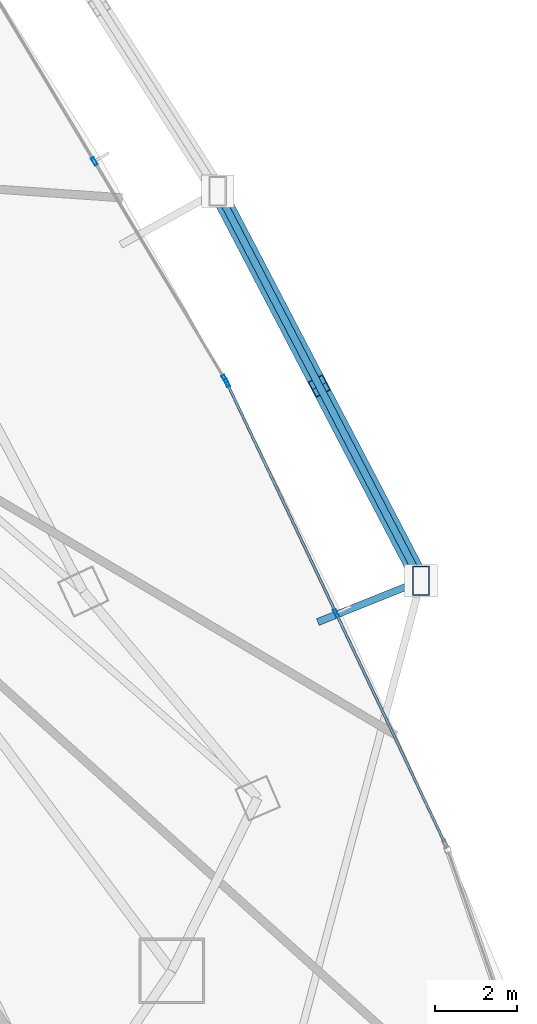
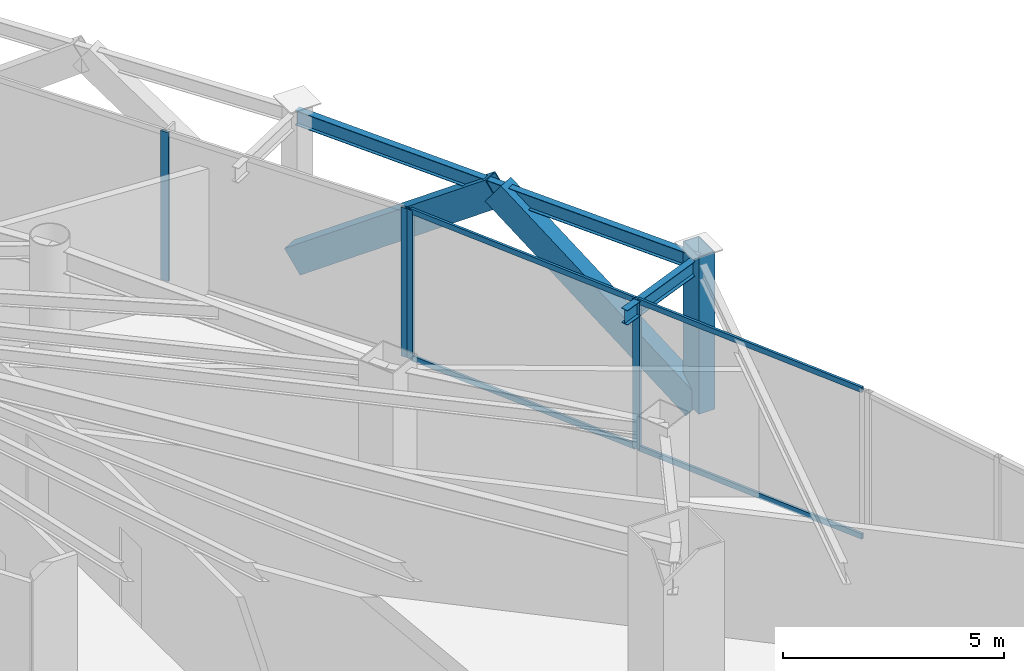
# One storey, part 18 of 33: 11 members, 2 beams, 2 elements without a shape of their own.
"""IFC4 building model written with IfcOpenShell, lengths in metres."""

from ifc_helpers import new_model, si_unit, direction, frame, origin, origin_2d, place, context, subcontext, project, spatial, hollow_rectangle, i_section, extrude, material, layer, layer_set, material_profile, profile_set, type_object, element, aggregate, save


model = new_model("IFC4")

# Units and contexts
model_context = context("Model", 3, precision=1e-05, world=origin(), true_north=direction((0.0, 1.0)))
body_context = subcontext(model_context, "Body", "Model", "MODEL_VIEW")
ifc_project = project(units=[si_unit("LENGTHUNIT", "METRE"), si_unit("AREAUNIT", "SQUARE_METRE"), si_unit("VOLUMEUNIT", "CUBIC_METRE"), si_unit("PLANEANGLEUNIT", "RADIAN"), si_unit("MASSUNIT", "GRAM", prefix="KILO")], contexts=[model_context])

# Site, building, storey
site_placement = place(None, origin())
site = spatial("IfcSite", under=ifc_project, at=site_placement, CompositionType="ELEMENT")
building_placement = place(site_placement, origin())
building = spatial("IfcBuilding", under=site, at=building_placement, Name="Orvanel Arch Residences", CompositionType="ELEMENT")
storey_placement = place(building_placement, frame((0.0, 0.0, 59.89990234375)))
storey = spatial("IfcBuildingStorey", under=building, at=storey_placement, Name="L16", CompositionType="ELEMENT", Elevation=59.89990234375)

# Members
ifc_material_1 = material(Name="Structural steel AS/NZS 3678 Grade 350", Category="steel")
ifc_material_profile_1 = material_profile(ifc_material_1, hollow_rectangle(XDim=0.419921875, YDim=0.719970703125, WallThickness=0.02490234375, at=origin_2d()), Name="RHS720x420x25")
ifc_profile_set_1 = profile_set([ifc_material_profile_1], Name="Structural steel AS/NZS 3678 Grade 350")
member_type_1 = type_object("IfcMemberType", Name="BR-720RHS-EXT", PredefinedType="BRACE", material=ifc_profile_set_1)
for number, where, z_axis, x_axis, name in (
    (1, (57.904052734375, 19.903076171875, 0.0), (-0.374328880999, 0.717374956054, 0.587580684908), (-0.88656138152, -0.462610977817, 0.0), "L16 Exterior Sky-Garden V-Frame Chevron F3B1.1"),
    (2, (52.926025390625, 29.443115234375, 0.0), (0.374328880999, -0.717374956054, 0.587580684908), (0.88656138152, 0.462610977817, 0.0), "L16 Exterior Sky-Garden V-Frame Chevron F3B1.2"),
):
    element("IfcMember", number, at=place(storey_placement, frame(where, z_axis=z_axis, x_axis=x_axis)), inside=storey, type_object=member_type_1, Name=name, PredefinedType="BRACE", context=body_context, shape_type="SweptSolid", body=[
        extrude(hollow_rectangle(XDim=0.419921875, YDim=0.719970703125, WallThickness=0.02490234375, at=origin_2d()), origin(), (0.0, 0.0, 1.0), 6.649169921875),
    ])
ifc_material_profile_2 = material_profile(ifc_material_1, hollow_rectangle(XDim=0.419921875, YDim=0.719970703125, WallThickness=0.02490234375, at=origin_2d()), Name="RHS720x420x25")
ifc_profile_set_2 = profile_set([ifc_material_profile_2], Name="Structural steel AS/NZS 3678 Grade 350")
member_type_2 = type_object("IfcMemberType", Name="CH-720RHS-EXT", PredefinedType="CHORD", material=ifc_profile_set_2)
member_1_placement = place(storey_placement, frame((57.904052734375, 19.903076171875, 0.0), z_axis=(0.0, 0.0, 1.0), x_axis=(1.0, 0.0, 0.0)))
element("IfcMember", 3, at=member_1_placement, inside=storey, type_object=member_type_2, Name="L16 Outer Perimeter Frame Post 09", PredefinedType="CHORD", context=body_context, shape_type="SweptSolid", body=[
    extrude(hollow_rectangle(XDim=0.419921875, YDim=0.719970703125, WallThickness=0.02490234375, at=origin_2d()), origin(), (0.0, 0.0, 1.0), 4.35009765625),
])

# Curtain wall, members
ifc_material_2 = material(Name="Bronze-anodised aluminium AA6063-T6", Category="aluminium")
ifc_layer = layer(ifc_material_2, 0.195068359375)
ifc_layer_set = layer_set([ifc_layer], Name="Bronze-anodised aluminium AA6063-T6")
curtain_wall_type = type_object("IfcCurtainWallType", Name="CW6-COM-SYS", PredefinedType="NOTDEFINED", material=ifc_layer_set)
curtain_wall_1_placement = place(storey_placement, origin())
curtain_wall_1 = element("IfcCurtainWall", 4, at=curtain_wall_1_placement, inside=storey, type_object=curtain_wall_type, Name="L16 CW6-COM-SYS Unitised Curtain Wall", PredefinedType="NOTDEFINED")
ifc_material_profile_3 = material_profile(ifc_material_2, hollow_rectangle(XDim=0.074951171875, YDim=0.199951171875, WallThickness=0.0048828125, at=origin_2d()), Name="ALU200x75x5")
ifc_profile_set_3 = profile_set([ifc_material_profile_3], Name="Bronze-anodised aluminium AA6063-T6")
member_type_3 = type_object("IfcMemberType", Name="MUL-200x75", PredefinedType="MULLION", material=ifc_profile_set_3)
member_2_placement = place(storey_placement, frame((55.825927734375, 19.10693359375, 0.0), z_axis=(0.0, 0.0, 1.0), x_axis=(-0.903779998039, -0.427997330769, 0.0)))
member_2 = element("IfcMember", 5, at=member_2_placement, type_object=member_type_3, Name="CW-S6 mullion 2", PredefinedType="MULLION", context=body_context, shape_type="SweptSolid", body=[
    extrude(hollow_rectangle(XDim=0.074951171875, YDim=0.199951171875, WallThickness=0.0048828125, at=origin_2d()), origin(), (0.0, 0.0, 1.0), 4.110107421875),
])
member_3_placement = place(storey_placement, frame((53.155029296875, 24.7470703125, 0.0), z_axis=(0.0, 0.0, 1.0), x_axis=(-0.903779998039, -0.427997330769, 0.0)))
member_3 = element("IfcMember", 6, at=member_3_placement, type_object=member_type_3, Name="CW-S6 mullion 3", PredefinedType="MULLION", context=body_context, shape_type="SweptSolid", body=[
    extrude(hollow_rectangle(XDim=0.074951171875, YDim=0.199951171875, WallThickness=0.0048828125, at=origin_2d()), origin(), (0.0, 0.0, 1.0), 4.110107421875),
])

curtain_wall_2_placement = place(storey_placement, origin())
curtain_wall_2 = element("IfcCurtainWall", 7, at=curtain_wall_2_placement, inside=storey, type_object=curtain_wall_type, Name="L16 CW6-COM-SYS Unitised Curtain Wall", PredefinedType="NOTDEFINED")
member_4_placement = place(storey_placement, frame((53.100830078125, 24.84814453125, 0.0), z_axis=(0.0, 0.0, 1.0), x_axis=(-0.857549408878, -0.514401605104, 0.0)))
member_4 = element("IfcMember", 8, at=member_4_placement, type_object=member_type_3, Name="CW-S6 mullion 1", PredefinedType="MULLION", context=body_context, shape_type="SweptSolid", body=[
    extrude(hollow_rectangle(XDim=0.074951171875, YDim=0.199951171875, WallThickness=0.0048828125, at=origin_2d()), origin(), (0.0, 0.0, 1.0), 4.110107421875),
])
member_5_placement = place(storey_placement, frame((49.906005859375, 30.174072265625, 0.0), z_axis=(0.0, 0.0, 1.0), x_axis=(-0.857549408878, -0.514401605104, 0.0)))
member_5 = element("IfcMember", 9, at=member_5_placement, type_object=member_type_3, Name="CW-S6 mullion 2", PredefinedType="MULLION", context=body_context, shape_type="SweptSolid", body=[
    extrude(hollow_rectangle(XDim=0.074951171875, YDim=0.199951171875, WallThickness=0.0048828125, at=origin_2d()), origin(), (0.0, 0.0, 1.0), 4.110107421875),
])
aggregate(curtain_wall_2, [member_4, member_5])

# Beams
ifc_material_3 = material(Name="Structural steel AS/NZS 3679.1 Grade 300 (300 MPa)", Category="steel")
ifc_material_profile_4 = material_profile(ifc_material_3, i_section(OverallWidth=0.177978515625, OverallDepth=0.406005859375, WebThickness=0.0078125, FlangeThickness=0.0126953125, at=origin_2d()), Name="410UB59.7")
ifc_profile_set_4 = profile_set([ifc_material_profile_4], Name="Structural steel AS/NZS 3679.1 Grade 300 (300 MPa)")
beam_type = type_object("IfcBeamType", Name="OB-410UB-EXT", PredefinedType="SPANDREL", material=ifc_profile_set_4)
beam_1_placement = place(storey_placement, frame((55.3779296875, 18.89306640625, 3.906982421875), z_axis=(0.928532380689, 0.371251421563, 0.0), x_axis=(-0.371251421563, 0.928532380689, 0.0)))
element("IfcBeam", 10, at=beam_1_placement, inside=storey, type_object=beam_type, Name="L16 Outer Frame Radial Tie Beam 09", PredefinedType="SPANDREL", context=body_context, shape_type="SweptSolid", body=[
    extrude(i_section(OverallWidth=0.177978515625, OverallDepth=0.406005859375, WebThickness=0.0078125, FlangeThickness=0.0126953125, at=origin_2d()), origin(), (0.0, 0.0, 1.0), 2.720458984375),
])
beam_2_placement = place(storey_placement, frame((57.904052734375, 19.903076171875, 3.906982421875), z_axis=(-0.462610977817, 0.88656138152, 0.0), x_axis=(-0.88656138152, -0.462610977817, 0.0)))
element("IfcBeam", 11, at=beam_2_placement, inside=storey, type_object=beam_type, Name="L16 Outer Perimeter Floor Ring Beam 09", PredefinedType="SPANDREL", context=body_context, shape_type="SweptSolid", body=[
    extrude(i_section(OverallWidth=0.177978515625, OverallDepth=0.406005859375, WebThickness=0.0078125, FlangeThickness=0.0126953125, at=origin_2d()), origin(), (0.0, 0.0, 1.0), 10.7607421875),
])

# Member
ifc_material_profile_5 = material_profile(ifc_material_2, hollow_rectangle(XDim=0.06494140625, YDim=0.14990234375, WallThickness=0.00390625, at=origin_2d()), Name="ALU150x65x4")
ifc_profile_set_5 = profile_set([ifc_material_profile_5], Name="Bronze-anodised aluminium AA6063-T6")
member_type_4 = type_object("IfcMemberType", Name="TRN-150x65", PredefinedType="USERDEFINED", material=ifc_profile_set_5)
member_6_placement = place(storey_placement, frame((58.48095703125, 13.500732421875, 0.03271484375), z_axis=(-0.428009746161, 0.903774118456, 0.0), x_axis=(-0.903774118456, -0.428009746161, 0.0)))
member_6 = element("IfcMember", 12, at=member_6_placement, type_object=member_type_4, Name="CW-S6 transom 1.1", ObjectType="TRANSOM", PredefinedType="USERDEFINED", context=body_context, shape_type="SweptSolid", body=[
    extrude(hollow_rectangle(XDim=0.06494140625, YDim=0.14990234375, WallThickness=0.00390625, at=origin_2d()), origin(), (0.0, 0.0, 1.0), 6.16552734375),
])

member_7_placement = place(storey_placement, frame((58.48095703125, 13.500732421875, 4.07763671875), z_axis=(-0.428009746161, 0.903774118456, 0.0), x_axis=(-0.903774118456, -0.428009746161, 0.0)))
member_7 = element("IfcMember", 13, at=member_7_placement, type_object=member_type_4, Name="CW-S6 transom 1.2", ObjectType="TRANSOM", PredefinedType="USERDEFINED", context=body_context, shape_type="SweptSolid", body=[
    extrude(hollow_rectangle(XDim=0.06494140625, YDim=0.14990234375, WallThickness=0.00390625, at=origin_2d()), origin(), (0.0, 0.0, 1.0), 6.16552734375),
])

member_8_placement = place(storey_placement, frame((55.81005859375, 19.140869140625, 0.03271484375), z_axis=(-0.428009746161, 0.903774118456, 0.0), x_axis=(-0.903774118456, -0.428009746161, 0.0)))
member_8 = element("IfcMember", 14, at=member_8_placement, type_object=member_type_4, Name="CW-S6 transom 2.1", ObjectType="TRANSOM", PredefinedType="USERDEFINED", context=body_context, shape_type="SweptSolid", body=[
    extrude(hollow_rectangle(XDim=0.06494140625, YDim=0.14990234375, WallThickness=0.00390625, at=origin_2d()), origin(), (0.0, 0.0, 1.0), 6.16552734375),
])

member_9_placement = place(storey_placement, frame((55.81005859375, 19.140869140625, 4.07763671875), z_axis=(-0.428009746161, 0.903774118456, 0.0), x_axis=(-0.903774118456, -0.428009746161, 0.0)))
member_9 = element("IfcMember", 15, at=member_9_placement, type_object=member_type_4, Name="CW-S6 transom 2.2", ObjectType="TRANSOM", PredefinedType="USERDEFINED", context=body_context, shape_type="SweptSolid", body=[
    extrude(hollow_rectangle(XDim=0.06494140625, YDim=0.14990234375, WallThickness=0.00390625, at=origin_2d()), origin(), (0.0, 0.0, 1.0), 6.16552734375),
])

aggregate(curtain_wall_1, [member_2, member_3, member_6, member_7, member_8, member_9])

save(model, "model.ifc")
